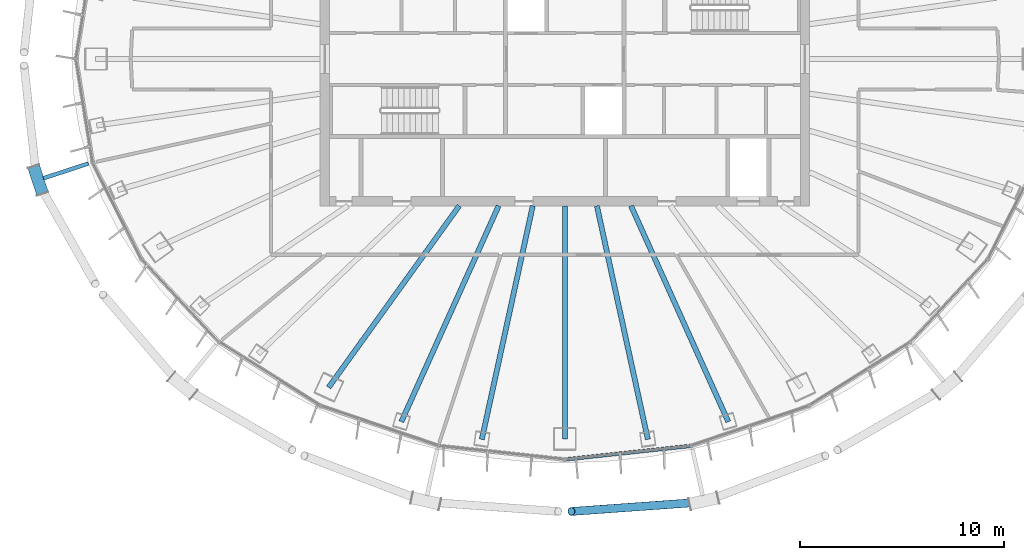
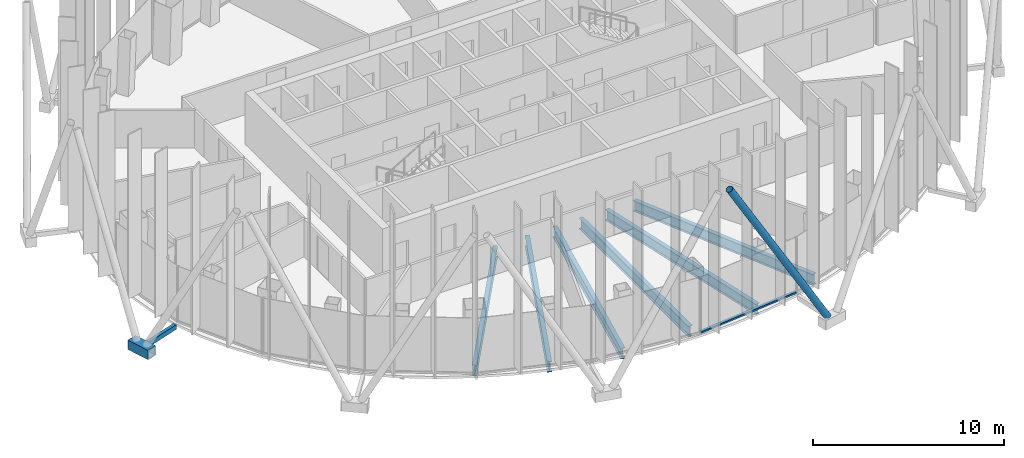
# One storey, part 3 of 18: 6 beams, 4 members, 1 element without a shape of its own.
"""IFC4 building model written with IfcOpenShell, lengths in metres."""

from ifc_helpers import new_model, si_unit, direction, frame, origin, origin_2d, place, context, subcontext, project, spatial, rectangle, hollow_rectangle, hollow_circle, i_section, extrude, material, layer, layer_set, material_profile, profile_set, type_object, element, aggregate, save


model = new_model("IFC4")

# Units and contexts
model_context = context("Model", 3, precision=1e-05, world=origin(), true_north=direction((0.0, 1.0)))
body_context = subcontext(model_context, "Body", "Model", "MODEL_VIEW")
ifc_project = project(units=[si_unit("LENGTHUNIT", "METRE"), si_unit("AREAUNIT", "SQUARE_METRE"), si_unit("VOLUMEUNIT", "CUBIC_METRE"), si_unit("PLANEANGLEUNIT", "RADIAN"), si_unit("MASSUNIT", "GRAM", prefix="KILO")], contexts=[model_context])

# Site, building, storey
site_placement = place(None, origin())
site = spatial("IfcSite", under=ifc_project, at=site_placement, CompositionType="ELEMENT")
building_placement = place(site_placement, origin())
building = spatial("IfcBuilding", under=site, at=building_placement, Name="Siaravel Broadcast Tower", CompositionType="ELEMENT")
storey_placement = place(building_placement, frame((0.0, 0.0, 157.10009765625)))
storey = spatial("IfcBuildingStorey", under=building, at=storey_placement, Name="L37", CompositionType="ELEMENT", Elevation=157.10009765625)

# Beams
ifc_material_1 = material(Name="Steel S355", Category="steel")
ifc_material_profile_1 = material_profile(ifc_material_1, i_section(OverallWidth=0.2529296875, OverallDepth=0.677978515625, WebThickness=0.01171875, FlangeThickness=0.01611328125, FilletRadius=0.01513671875, at=origin_2d()))
ifc_profile_set_1 = profile_set([ifc_material_profile_1], Name="Steel S355")
beam_type = type_object("IfcBeamType", Name="BM-UB 686x254x125", PredefinedType="BEAM", material=ifc_profile_set_1)
beam_1_placement = place(storey_placement, frame((-11.582275390625, -16.10498046875, -0.489013671875), z_axis=(0.58386488, 0.81185085, 0.0), x_axis=(-0.81185085, 0.58386488, 0.0)))
element("IfcBeam", 1, at=beam_1_placement, inside=storey, type_object=beam_type, Name="Radial beam RB25", PredefinedType="BEAM", context=body_context, shape_type="SweptSolid", body=[
    extrude(i_section(OverallWidth=0.2529296875, OverallDepth=0.677978515625, WebThickness=0.01171875, FlangeThickness=0.01611328125, FilletRadius=0.01513671875, at=origin_2d()), origin(), (0.0, 0.0, 1.0), 10.96875),
])
beam_2_placement = place(storey_placement, frame((-8.015869140625, -17.787109375, -0.489013671875), z_axis=(0.410867262, 0.911695176, 0.0), x_axis=(-0.911695176, 0.410867262, 0.0)))
element("IfcBeam", 2, at=beam_2_placement, inside=storey, type_object=beam_type, Name="Radial beam RB26", PredefinedType="BEAM", context=body_context, shape_type="SweptSolid", body=[
    extrude(i_section(OverallWidth=0.2529296875, OverallDepth=0.677978515625, WebThickness=0.01171875, FlangeThickness=0.01611328125, FilletRadius=0.01513671875, at=origin_2d()), origin(), (0.0, 0.0, 1.0), 11.612548828125),
])
beam_3_placement = place(storey_placement, frame((-4.0712890625, -18.65283203125, -0.489013671875), z_axis=(0.213244065, 0.97699896, 0.0), x_axis=(-0.97699896, 0.213244065, 0.0)))
element("IfcBeam", 3, at=beam_3_placement, inside=storey, type_object=beam_type, Name="Radial beam RB27", PredefinedType="BEAM", context=body_context, shape_type="SweptSolid", body=[
    extrude(i_section(OverallWidth=0.2529296875, OverallDepth=0.677978515625, WebThickness=0.01171875, FlangeThickness=0.01611328125, FilletRadius=0.01513671875, at=origin_2d()), origin(), (0.0, 0.0, 1.0), 11.722412109375),
])
beam_4_placement = place(storey_placement, frame((0.0, -18.64453125, -0.489013671875), z_axis=(0.0, 1.0, 0.0), x_axis=(-1.0, 0.0, 0.0)))
element("IfcBeam", 4, at=beam_4_placement, inside=storey, type_object=beam_type, Name="Radial beam RB28", PredefinedType="BEAM", context=body_context, shape_type="SweptSolid", body=[
    extrude(i_section(OverallWidth=0.2529296875, OverallDepth=0.677978515625, WebThickness=0.01171875, FlangeThickness=0.01611328125, FilletRadius=0.01513671875, at=origin_2d()), origin(), (0.0, 0.0, 1.0), 11.444580078125),
])
beam_5_placement = place(storey_placement, frame((4.0712890625, -18.65283203125, -0.489013671875), z_axis=(-0.213244065, 0.97699896, 0.0), x_axis=(-0.97699896, -0.213244065, 0.0)))
element("IfcBeam", 5, at=beam_5_placement, inside=storey, type_object=beam_type, Name="Radial beam RB29", PredefinedType="BEAM", context=body_context, shape_type="SweptSolid", body=[
    extrude(i_section(OverallWidth=0.2529296875, OverallDepth=0.677978515625, WebThickness=0.01171875, FlangeThickness=0.01611328125, FilletRadius=0.01513671875, at=origin_2d()), origin(), (0.0, 0.0, 1.0), 11.722412109375),
])
beam_6_placement = place(storey_placement, frame((8.015869140625, -17.787109375, -0.489013671875), z_axis=(-0.410867262, 0.911695176, 0.0), x_axis=(-0.911695176, -0.410867262, 0.0)))
element("IfcBeam", 6, at=beam_6_placement, inside=storey, type_object=beam_type, Name="Radial beam RB30", PredefinedType="BEAM", context=body_context, shape_type="SweptSolid", body=[
    extrude(i_section(OverallWidth=0.2529296875, OverallDepth=0.677978515625, WebThickness=0.01171875, FlangeThickness=0.01611328125, FilletRadius=0.01513671875, at=origin_2d()), origin(), (0.0, 0.0, 1.0), 11.612548828125),
])

# Curtain wall, member
ifc_material_2 = material(Name="Aluminium 6063-T6", Category="aluminium")
ifc_layer = layer(ifc_material_2, 0.179931640625)
ifc_layer_set = layer_set([ifc_layer], Name="Aluminium 6063-T6")
curtain_wall_type = type_object("IfcCurtainWallType", Name="Unitised curtain wall, zone 3", PredefinedType="NOTDEFINED", material=ifc_layer_set)
curtain_wall_placement = place(storey_placement, origin())
curtain_wall = element("IfcCurtainWall", 7, at=curtain_wall_placement, inside=storey, type_object=curtain_wall_type, Name="L37 Unitised curtain wall, zone 3 10", PredefinedType="NOTDEFINED")
ifc_material_profile_2 = material_profile(ifc_material_2, rectangle(XDim=0.179931640625, YDim=0.10009765625, at=origin_2d()))
ifc_profile_set_2 = profile_set([ifc_material_profile_2], Name="Aluminium 6063-T6")
member_type_1 = type_object("IfcMemberType", Name="CW-Z3 transom", PredefinedType="USERDEFINED", material=ifc_profile_set_2)
member_1_placement = place(storey_placement, frame((0.059814453125, -19.630859375, 0.0498046875), z_axis=(0.994235123, 0.107221824, 0.0), x_axis=(-0.107221824, 0.994235123, 0.0)))
member_1 = element("IfcMember", 8, at=member_1_placement, type_object=member_type_1, Name="CW-Z3 transom 1", ObjectType="TRANSOM", PredefinedType="USERDEFINED", context=body_context, shape_type="SweptSolid", body=[
    extrude(rectangle(XDim=0.179931640625, YDim=0.10009765625, at=origin_2d()), origin(), (0.0, 0.0, 1.0), 6.1455078125),
])
aggregate(curtain_wall, [member_1])

# Members
ifc_material_3 = material(Name="Steel S460", Category="steel")
ifc_material_profile_3 = material_profile(ifc_material_3, hollow_circle(Radius=0.203125, WallThickness=0.01611328125, at=origin_2d()))
ifc_profile_set_3 = profile_set([ifc_material_profile_3], Name="Steel S460")
member_type_2 = type_object("IfcMemberType", Name="Diagrid diagonal CHS 406.4x16", PredefinedType="BRACE", material=ifc_profile_set_3)
member_2_placement = place(storey_placement, frame((6.50048828125, -21.742431640625, 0.06982421875), z_axis=(-0.504572058, -0.036335729, 0.862604633), x_axis=(0.071826962, -0.997417108, 0.0)))
element("IfcMember", 9, at=member_2_placement, inside=storey, type_object=member_type_2, Name="Diagrid diagonal R16 station 57C", PredefinedType="BRACE", context=body_context, shape_type="SweptSolid", body=[
    extrude(hollow_circle(Radius=0.203125, WallThickness=0.01611328125, at=origin_2d()), origin(), (0.0, 0.0, 1.0), 12.241943359375),
])
ifc_material_profile_4 = material_profile(ifc_material_3, hollow_rectangle(XDim=0.60009765625, YDim=0.60009765625, WallThickness=0.0400390625, at=origin_2d()))
ifc_profile_set_4 = profile_set([ifc_material_profile_4], Name="Steel S460")
member_type_3 = type_object("IfcMemberType", Name="Diagrid node BOX 600x600x40", PredefinedType="USERDEFINED", material=ifc_profile_set_4)
member_3_placement = place(storey_placement, frame((-26.047607421875, -5.27001953125, -0.2001953125), z_axis=(0.310990364, -0.950413065, 0.0), x_axis=(0.950413065, 0.310990364, 0.0)))
element("IfcMember", 10, at=member_3_placement, inside=storey, type_object=member_type_3, Name="Diagrid node R16 station 39", ObjectType="DIAGRID NODE", PredefinedType="USERDEFINED", context=body_context, shape_type="SweptSolid", body=[
    extrude(hollow_rectangle(XDim=0.60009765625, YDim=0.60009765625, WallThickness=0.0400390625, at=origin_2d()), origin(), (0.0, 0.0, 1.0), 1.399658203125),
])
ifc_material_profile_5 = material_profile(ifc_material_3, hollow_rectangle(XDim=0.199951171875, YDim=0.300048828125, WallThickness=0.012451171875, at=origin_2d()))
ifc_profile_set_5 = profile_set([ifc_material_profile_5], Name="Steel S460")
member_type_4 = type_object("IfcMemberType", Name="Diagrid node arm RHS 300x200x12.5", PredefinedType="STRUT", material=ifc_profile_set_5)
member_4_placement = place(storey_placement, frame((-23.35888671875, -5.126708984375, -0.2001953125), z_axis=(-0.950408392, -0.311004643, 0.0), x_axis=(0.311004643, -0.950408392, 0.0)))
element("IfcMember", 11, at=member_4_placement, inside=storey, type_object=member_type_4, Name="Node arm R16 station 39", PredefinedType="STRUT", context=body_context, shape_type="SweptSolid", body=[
    extrude(hollow_rectangle(XDim=0.199951171875, YDim=0.300048828125, WallThickness=0.012451171875, at=origin_2d()), origin(), (0.0, 0.0, 1.0), 2.329833984375),
])

save(model, "model.ifc")
